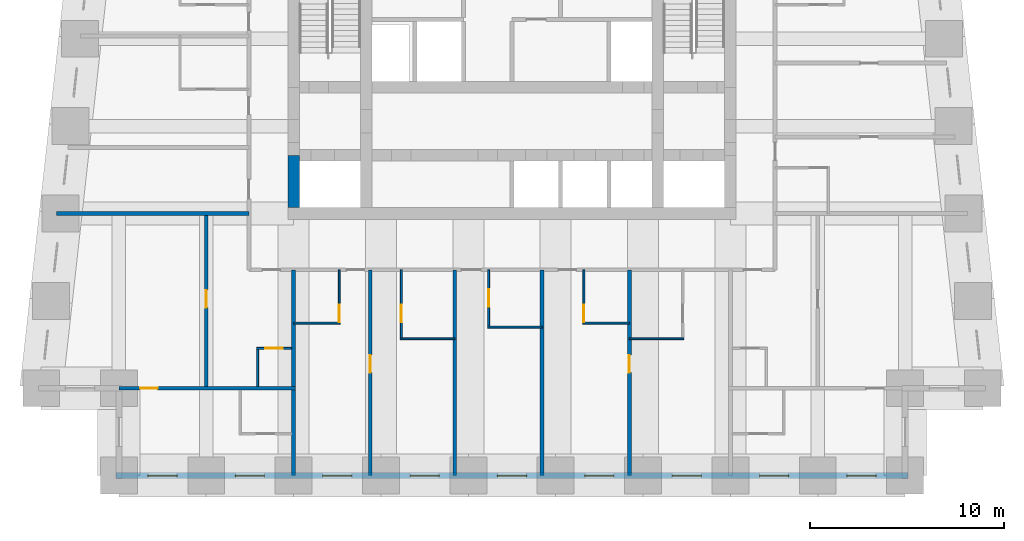
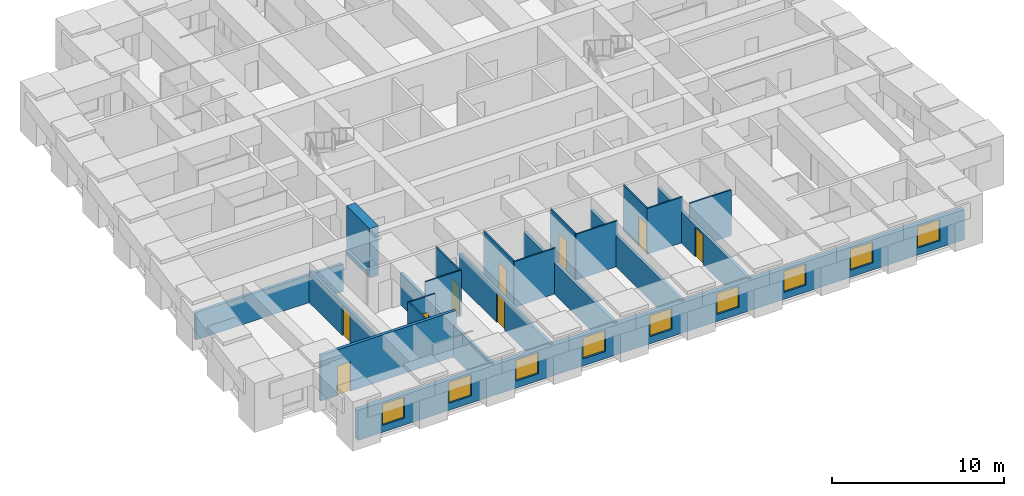
# One storey, part 2 of 8: 21 walls, 9 doors, 9 windows, 18 openings.
"""IFC4 building model written with IfcOpenShell, lengths in metres."""

from ifc_helpers import new_model, si_unit, direction, frame, frame_2d, origin, place, context, subcontext, project, spatial, rectangle, extrude, material, layer, layer_set, type_object, element, fill, save


model = new_model("IFC4")

# Units and contexts
model_context = context("Model", 3, precision=1e-05, world=origin(), true_north=direction((0.0, 1.0)))
body_context = subcontext(model_context, "Body", "Model", "MODEL_VIEW")
ifc_project = project(units=[si_unit("LENGTHUNIT", "METRE"), si_unit("AREAUNIT", "SQUARE_METRE"), si_unit("VOLUMEUNIT", "CUBIC_METRE"), si_unit("PLANEANGLEUNIT", "RADIAN"), si_unit("MASSUNIT", "GRAM", prefix="KILO")], contexts=[model_context])

# Site, building, storey
site_placement = place(None, origin())
site = spatial("IfcSite", under=ifc_project, at=site_placement, CompositionType="ELEMENT")
building_placement = place(site_placement, origin())
building = spatial("IfcBuilding", under=site, at=building_placement, Name="Kilele Tower Hotel", CompositionType="ELEMENT")
storey_placement = place(building_placement, frame((0.0, 0.0, 135.39990234375)))
storey = spatial("IfcBuildingStorey", under=building, at=storey_placement, Name="L35", CompositionType="ELEMENT", Elevation=135.39990234375)

# Wall
ifc_material_1 = material(Name="Moisture-resistant board")
ifc_layer_1 = layer(ifc_material_1, 0.10009765625)
ifc_layer_set_1 = layer_set([ifc_layer_1], Name="Moisture-resistant board")
wall_type_1 = type_object("IfcWallType", Name="Bathroom partition 100", PredefinedType="PLUMBINGWALL", material=ifc_layer_set_1)
wall_1_placement = place(storey_placement, frame((13.5, 7.85009765625, 0.0), z_axis=(0.0, 0.0, 1.0), x_axis=(1.0, 0.0, 0.0)))
element("IfcWall", 1, at=wall_1_placement, inside=storey, type_object=wall_type_1, Name="Bathroom partition 100 L35", PredefinedType="PLUMBINGWALL", context=body_context, shape_type="SweptSolid", body=[
    extrude(rectangle(XDim=2.39990234375, YDim=0.10009765625, at=frame_2d((1.199951171875, 0.0))), origin(), (0.0, 0.0, 1.0), 3.25),
])

# Wall, opening, door
wall_2_placement = place(storey_placement, frame((15.85009765625, 10.60009765625, 0.0), z_axis=(0.0, 0.0, 1.0), x_axis=(0.0, -1.0, 0.0)))
wall_2 = element("IfcWall", 2, at=wall_2_placement, inside=storey, type_object=wall_type_1, Name="Bathroom partition 100 L35", PredefinedType="PLUMBINGWALL", context=body_context, shape_type="SweptSolid", body=[
    extrude(rectangle(XDim=2.800048828125, YDim=0.10009765625, at=frame_2d((1.39990234375, 0.0))), origin(), (0.0, 0.0, 1.0), 3.25),
])
opening_1_placement = place(wall_2_placement, frame((1.800048828125, 0.0, 0.0)))
opening_1 = element("IfcOpeningElement", 3, at=opening_1_placement, cuts=wall_2, Name="Opening D2A", PredefinedType="OPENING", context=body_context, shape_type="SweptSolid", body=[
    extrude(rectangle(XDim=0.89990234375, YDim=2.10009765625, at=frame_2d((0.449951171875, 1.050048828125))), frame((0.0, 0.06005859375, 0.0), z_axis=(0.0, -1.0, 0.0), x_axis=(1.0, 0.0, 0.0)), (0.0, 0.0, 1.0), 0.1201171875),
])
ifc_material_2 = material(Name="Timber door leaf in hardwood frame", Category="wood")
door_type_1 = type_object("IfcDoorType", Name="Bathroom door 900", OperationType="SINGLE_SWING_LEFT", PredefinedType="DOOR", material=ifc_material_2)
door_1_placement = place(opening_1_placement, origin())
door_1 = element("IfcDoor", 4, at=door_1_placement, inside=storey, type_object=door_type_1, Name="Bathroom door 3501B", OperationType="SINGLE_SWING_RIGHT", OverallHeight=2.10009765625, OverallWidth=0.89990234375, PredefinedType="DOOR", context=body_context, shape_type="SweptSolid", body=[
    extrude(rectangle(XDim=0.89990234375, YDim=2.10009765625, at=frame_2d((0.449951171875, 1.050048828125))), frame((0.0, 0.02490234375, 0.0), z_axis=(0.0, -1.0, 0.0), x_axis=(1.0, 0.0, 0.0)), (0.0, 0.0, 1.0), 0.050048828125),
])
fill(opening_1, door_1)

# Wall
wall_3_placement = place(storey_placement, frame((19.0, 7.050048828125, 0.0), z_axis=(0.0, 0.0, 1.0), x_axis=(1.0, 0.0, 0.0)))
element("IfcWall", 5, at=wall_3_placement, inside=storey, type_object=wall_type_1, Name="Bathroom partition 100 L35", PredefinedType="PLUMBINGWALL", context=body_context, shape_type="SweptSolid", body=[
    extrude(rectangle(XDim=2.800048828125, YDim=0.10009765625, at=frame_2d((1.39990234375, 0.0))), origin(), (0.0, 0.0, 1.0), 3.25),
])

# Wall, opening, door
wall_4_placement = place(storey_placement, frame((19.050048828125, 10.60009765625, 0.0), z_axis=(0.0, 0.0, 1.0), x_axis=(0.0, -1.0, 0.0)))
wall_4 = element("IfcWall", 6, at=wall_4_placement, inside=storey, type_object=wall_type_1, Name="Bathroom partition 100 L35", PredefinedType="PLUMBINGWALL", context=body_context, shape_type="SweptSolid", body=[
    extrude(rectangle(XDim=3.60009765625, YDim=0.10009765625, at=frame_2d((1.800048828125, 0.0))), origin(), (0.0, 0.0, 1.0), 3.25),
])
opening_2_placement = place(wall_4_placement, frame((2.699951171875, 0.0, 0.0), z_axis=(0.0, 0.0, 1.0), x_axis=(-1.0, 0.0, 0.0)))
opening_2 = element("IfcOpeningElement", 7, at=opening_2_placement, cuts=wall_4, Name="Opening D2A", PredefinedType="OPENING", context=body_context, shape_type="SweptSolid", body=[
    extrude(rectangle(XDim=0.89990234375, YDim=2.10009765625, at=frame_2d((0.449951171875, 1.050048828125))), frame((0.0, 0.06005859375, 0.0), z_axis=(0.0, -1.0, 0.0), x_axis=(1.0, 0.0, 0.0)), (0.0, 0.0, 1.0), 0.1201171875),
])
door_2_placement = place(opening_2_placement, origin())
door_2 = element("IfcDoor", 8, at=door_2_placement, inside=storey, type_object=door_type_1, Name="Bathroom door 3502B", OperationType="SINGLE_SWING_LEFT", OverallHeight=2.10009765625, OverallWidth=0.89990234375, PredefinedType="DOOR", context=body_context, shape_type="SweptSolid", body=[
    extrude(rectangle(XDim=0.89990234375, YDim=2.10009765625, at=frame_2d((0.449951171875, 1.050048828125))), frame((0.0, 0.02490234375, 0.0), z_axis=(0.0, -1.0, 0.0), x_axis=(1.0, 0.0, 0.0)), (0.0, 0.0, 1.0), 0.050048828125),
])
fill(opening_2, door_2)

# Wall
wall_5_placement = place(storey_placement, frame((23.5, 7.64990234375, 0.0), z_axis=(0.0, 0.0, 1.0), x_axis=(1.0, 0.0, 0.0)))
element("IfcWall", 9, at=wall_5_placement, inside=storey, type_object=wall_type_1, Name="Bathroom partition 100 L35", PredefinedType="PLUMBINGWALL", context=body_context, shape_type="SweptSolid", body=[
    extrude(rectangle(XDim=2.800048828125, YDim=0.10009765625, at=frame_2d((1.39990234375, 0.0))), origin(), (0.0, 0.0, 1.0), 3.25),
])

# Wall, opening, door
wall_6_placement = place(storey_placement, frame((23.550048828125, 10.60009765625, 0.0), z_axis=(0.0, 0.0, 1.0), x_axis=(0.0, -1.0, 0.0)))
wall_6 = element("IfcWall", 10, at=wall_6_placement, inside=storey, type_object=wall_type_1, Name="Bathroom partition 100 L35", PredefinedType="PLUMBINGWALL", context=body_context, shape_type="SweptSolid", body=[
    extrude(rectangle(XDim=3.0, YDim=0.10009765625, at=frame_2d((1.5, 0.0))), origin(), (0.0, 0.0, 1.0), 3.25),
])
opening_3_placement = place(wall_6_placement, frame((1.89990234375, 0.0, 0.0), z_axis=(0.0, 0.0, 1.0), x_axis=(-1.0, 0.0, 0.0)))
opening_3 = element("IfcOpeningElement", 11, at=opening_3_placement, cuts=wall_6, Name="Opening D2A", PredefinedType="OPENING", context=body_context, shape_type="SweptSolid", body=[
    extrude(rectangle(XDim=0.89990234375, YDim=2.10009765625, at=frame_2d((0.449951171875, 1.050048828125))), frame((0.0, 0.06005859375, 0.0), z_axis=(0.0, -1.0, 0.0), x_axis=(1.0, 0.0, 0.0)), (0.0, 0.0, 1.0), 0.1201171875),
])
door_3_placement = place(opening_3_placement, origin())
door_3 = element("IfcDoor", 12, at=door_3_placement, inside=storey, type_object=door_type_1, Name="Bathroom door 3503B", OperationType="SINGLE_SWING_RIGHT", OverallHeight=2.10009765625, OverallWidth=0.89990234375, PredefinedType="DOOR", context=body_context, shape_type="SweptSolid", body=[
    extrude(rectangle(XDim=0.89990234375, YDim=2.10009765625, at=frame_2d((0.449951171875, 1.050048828125))), frame((0.0, 0.02490234375, 0.0), z_axis=(0.0, -1.0, 0.0), x_axis=(1.0, 0.0, 0.0)), (0.0, 0.0, 1.0), 0.050048828125),
])
fill(opening_3, door_3)

# Wall
wall_7_placement = place(storey_placement, frame((28.39990234375, 7.85009765625, 0.0), z_axis=(0.0, 0.0, 1.0), x_axis=(1.0, 0.0, 0.0)))
element("IfcWall", 13, at=wall_7_placement, inside=storey, type_object=wall_type_1, Name="Bathroom partition 100 L35", PredefinedType="PLUMBINGWALL", context=body_context, shape_type="SweptSolid", body=[
    extrude(rectangle(XDim=2.400146484375, YDim=0.10009765625, at=frame_2d((1.2001953125, 0.0))), origin(), (0.0, 0.0, 1.0), 3.25),
])

# Wall, opening, door
wall_8_placement = place(storey_placement, frame((28.449951171875, 10.60009765625, 0.0), z_axis=(0.0, 0.0, 1.0), x_axis=(0.0, -1.0, 0.0)))
wall_8 = element("IfcWall", 14, at=wall_8_placement, inside=storey, type_object=wall_type_1, Name="Bathroom partition 100 L35", PredefinedType="PLUMBINGWALL", context=body_context, shape_type="SweptSolid", body=[
    extrude(rectangle(XDim=2.800048828125, YDim=0.10009765625, at=frame_2d((1.39990234375, 0.0))), origin(), (0.0, 0.0, 1.0), 3.25),
])
opening_4_placement = place(wall_8_placement, frame((2.699951171875, 0.0, 0.0), z_axis=(0.0, 0.0, 1.0), x_axis=(-1.0, 0.0, 0.0)))
opening_4 = element("IfcOpeningElement", 15, at=opening_4_placement, cuts=wall_8, Name="Opening D2A", PredefinedType="OPENING", context=body_context, shape_type="SweptSolid", body=[
    extrude(rectangle(XDim=0.89990234375, YDim=2.10009765625, at=frame_2d((0.449951171875, 1.050048828125))), frame((0.0, 0.06005859375, 0.0), z_axis=(0.0, -1.0, 0.0), x_axis=(1.0, 0.0, 0.0)), (0.0, 0.0, 1.0), 0.1201171875),
])
door_4_placement = place(opening_4_placement, origin())
door_4 = element("IfcDoor", 16, at=door_4_placement, inside=storey, type_object=door_type_1, Name="Bathroom door 3504B", OperationType="SINGLE_SWING_LEFT", OverallHeight=2.10009765625, OverallWidth=0.89990234375, PredefinedType="DOOR", context=body_context, shape_type="SweptSolid", body=[
    extrude(rectangle(XDim=0.89990234375, YDim=2.10009765625, at=frame_2d((0.449951171875, 1.050048828125))), frame((0.0, 0.02490234375, 0.0), z_axis=(0.0, -1.0, 0.0), x_axis=(1.0, 0.0, 0.0)), (0.0, 0.0, 1.0), 0.050048828125),
])
fill(opening_4, door_4)

# Walls
wall_9_placement = place(storey_placement, frame((30.800048828125, 7.050048828125, 0.0), z_axis=(0.0, 0.0, 1.0), x_axis=(1.0, 0.0, 0.0)))
element("IfcWall", 17, at=wall_9_placement, inside=storey, type_object=wall_type_1, Name="Bathroom partition 100 L35", PredefinedType="PLUMBINGWALL", context=body_context, shape_type="SweptSolid", body=[
    extrude(rectangle(XDim=2.800048828125, YDim=0.10009765625, at=frame_2d((1.39990234375, 0.0))), origin(), (0.0, 0.0, 1.0), 3.25),
])
wall_10_placement = place(storey_placement, frame((11.64990234375, 4.60009765625, 0.0), z_axis=(0.0, 0.0, 1.0), x_axis=(0.0, 1.0, 0.0)))
element("IfcWall", 18, at=wall_10_placement, inside=storey, type_object=wall_type_1, Name="Bathroom partition 100 L35", PredefinedType="PLUMBINGWALL", context=body_context, shape_type="SweptSolid", body=[
    extrude(rectangle(XDim=2.0, YDim=0.10009765625, at=frame_2d((1.0, 0.0))), origin(), (0.0, 0.0, 1.0), 3.25),
])

# Wall, opening, door
wall_11_placement = place(storey_placement, frame((13.39990234375, 6.550048828125, 0.0), z_axis=(0.0, 0.0, 1.0), x_axis=(-1.0, 0.0, 0.0)))
wall_11 = element("IfcWall", 19, at=wall_11_placement, inside=storey, type_object=wall_type_1, Name="Bathroom partition 100 L35", PredefinedType="PLUMBINGWALL", context=body_context, shape_type="SweptSolid", body=[
    extrude(rectangle(XDim=1.7998046875, YDim=0.10009765625, at=frame_2d((0.89990234375, 0.0))), origin(), (0.0, 0.0, 1.0), 3.25),
])
opening_5_placement = place(wall_11_placement, frame((1.349853515625, 0.0, 0.0), z_axis=(0.0, 0.0, 1.0), x_axis=(-1.0, 0.0, 0.0)))
opening_5 = element("IfcOpeningElement", 20, at=opening_5_placement, cuts=wall_11, Name="Opening D2A", PredefinedType="OPENING", context=body_context, shape_type="SweptSolid", body=[
    extrude(rectangle(XDim=0.89990234375, YDim=2.10009765625, at=frame_2d((0.449951171875, 1.050048828125))), frame((0.0, 0.06005859375, 0.0), z_axis=(0.0, -1.0, 0.0), x_axis=(1.0, 0.0, 0.0)), (0.0, 0.0, 1.0), 0.1201171875),
])
door_5_placement = place(opening_5_placement, origin())
door_5 = element("IfcDoor", 21, at=door_5_placement, inside=storey, type_object=door_type_1, Name="Bathroom door 3517P", OperationType="SINGLE_SWING_RIGHT", OverallHeight=2.10009765625, OverallWidth=0.89990234375, PredefinedType="DOOR", context=body_context, shape_type="SweptSolid", body=[
    extrude(rectangle(XDim=0.89990234375, YDim=2.10009765625, at=frame_2d((0.449951171875, 1.050048828125))), frame((0.0, 0.02490234375, 0.0), z_axis=(0.0, -1.0, 0.0), x_axis=(1.0, 0.0, 0.0)), (0.0, 0.0, 1.0), 0.050048828125),
])
fill(opening_5, door_5)

# Wall
ifc_material_3 = material(Name="Concrete C60/75", Category="concrete")
ifc_layer_2 = layer(ifc_material_3, 0.60009765625)
ifc_layer_set_2 = layer_set([ifc_layer_2], Name="Concrete C60/75")
wall_type_2 = type_object("IfcWallType", Name="Core wall 600 C60/75", PredefinedType="SHEAR", material=ifc_layer_set_2)
wall_12_placement = place(storey_placement, frame((13.5, 16.5, 0.0), z_axis=(0.0, 0.0, 1.0), x_axis=(0.0, -1.0, 0.0)))
element("IfcWall", 22, at=wall_12_placement, inside=storey, type_object=wall_type_2, Name="Core wall W3 L35", PredefinedType="SHEAR", context=body_context, shape_type="SweptSolid", body=[
    extrude(rectangle(XDim=2.699951171875, YDim=0.60009765625, at=frame_2d((1.35009765625, 0.0))), origin(), (0.0, 0.0, 1.0), 3.5),
])

# Wall, opening, door
ifc_material_4 = material(Name="Blockwork, plastered both sides", Category="masonry")
ifc_layer_3 = layer(ifc_material_4, 0.199951171875)
ifc_layer_set_3 = layer_set([ifc_layer_3], Name="Blockwork, plastered both sides")
wall_type_3 = type_object("IfcWallType", Name="Partition wall 200", PredefinedType="PARTITIONING", material=ifc_layer_set_3)
wall_13_placement = place(storey_placement, frame((9.0, 4.60009765625, 0.0), z_axis=(0.0, 0.0, 1.0), x_axis=(0.0, 1.0, 0.0)))
wall_13 = element("IfcWall", 23, at=wall_13_placement, inside=storey, type_object=wall_type_3, Name="Partition wall 200 L35", PredefinedType="PARTITIONING", context=body_context, shape_type="SweptSolid", body=[
    extrude(rectangle(XDim=8.7998046875, YDim=0.199951171875, at=frame_2d((4.39990234375, 0.0))), origin(), (0.0, 0.0, 1.0), 2.25),
])
opening_6_placement = place(wall_13_placement, frame((4.050048828125, 0.0, 0.0)))
opening_6 = element("IfcOpeningElement", 24, at=opening_6_placement, cuts=wall_13, Name="Opening D3", PredefinedType="OPENING", context=body_context, shape_type="SweptSolid", body=[
    extrude(rectangle(XDim=0.89990234375, YDim=2.10009765625, at=frame_2d((0.449951171875, 1.050048828125))), frame((0.0, 0.10986328125, 0.0), z_axis=(0.0, -1.0, 0.0), x_axis=(1.0, 0.0, 0.0)), (0.0, 0.0, 1.0), 0.219970703125),
])
ifc_material_5 = material(Name="Timber door leaf in hardwood frame", Category="wood")
door_type_2 = type_object("IfcDoorType", Name="Suite internal door 900", OperationType="SINGLE_SWING_LEFT", PredefinedType="DOOR", material=ifc_material_5)
door_6_placement = place(opening_6_placement, origin())
door_6 = element("IfcDoor", 25, at=door_6_placement, inside=storey, type_object=door_type_2, Name="Suite door 3518", OperationType="SINGLE_SWING_RIGHT", OverallHeight=2.10009765625, OverallWidth=0.89990234375, PredefinedType="DOOR", context=body_context, shape_type="SweptSolid", body=[
    extrude(rectangle(XDim=0.89990234375, YDim=2.10009765625, at=frame_2d((0.449951171875, 1.050048828125))), frame((0.0, 0.02490234375, 0.0), z_axis=(0.0, -1.0, 0.0), x_axis=(1.0, 0.0, 0.0)), (0.0, 0.0, 1.0), 0.050048828125),
])
fill(opening_6, door_6)

ifc_material_6 = material(Name="Blockwork, plastered both sides", Category="masonry")
ifc_layer_4 = layer(ifc_material_6, 0.199951171875)
ifc_layer_set_4 = layer_set([ifc_layer_4], Name="Blockwork, plastered both sides")
wall_type_4 = type_object("IfcWallType", Name="Party wall 200", PredefinedType="PARTITIONING", material=ifc_layer_set_4)
wall_14_placement = place(storey_placement, frame((17.449951171875, 10.60009765625, 0.0), z_axis=(0.0, 0.0, 1.0), x_axis=(0.0, -1.0, 0.0)))
wall_14 = element("IfcWall", 26, at=wall_14_placement, inside=storey, type_object=wall_type_4, Name="Party wall 200 L35", PredefinedType="PARTITIONING", context=body_context, shape_type="SweptSolid", body=[
    extrude(rectangle(XDim=10.60009765625, YDim=0.199951171875, at=frame_2d((5.300048828125, 0.0))), origin(), (0.0, 0.0, 1.0), 2.25),
])
opening_7_placement = place(wall_14_placement, frame((4.39990234375, 0.0, 0.0)))
opening_7 = element("IfcOpeningElement", 27, at=opening_7_placement, cuts=wall_14, Name="Opening D3", PredefinedType="OPENING", context=body_context, shape_type="SweptSolid", body=[
    extrude(rectangle(XDim=0.89990234375, YDim=2.10009765625, at=frame_2d((0.449951171875, 1.050048828125))), frame((0.0, 0.10986328125, 0.0), z_axis=(0.0, -1.0, 0.0), x_axis=(1.0, 0.0, 0.0)), (0.0, 0.0, 1.0), 0.219970703125),
])
door_7_placement = place(opening_7_placement, origin())
door_7 = element("IfcDoor", 28, at=door_7_placement, inside=storey, type_object=door_type_2, Name="Suite door 3502", OperationType="SINGLE_SWING_LEFT", OverallHeight=2.10009765625, OverallWidth=0.89990234375, PredefinedType="DOOR", context=body_context, shape_type="SweptSolid", body=[
    extrude(rectangle(XDim=0.89990234375, YDim=2.10009765625, at=frame_2d((0.449951171875, 1.050048828125))), frame((0.0, 0.02490234375, 0.0), z_axis=(0.0, -1.0, 0.0), x_axis=(1.0, 0.0, 0.0)), (0.0, 0.0, 1.0), 0.050048828125),
])
fill(opening_7, door_7)

# Walls
for number, where, z_axis, x_axis, name in (
    (29, (21.800048828125, 10.60009765625, 0.0), (0.0, 0.0, 1.0), (0.0, -1.0, 0.0), "Party wall 200 L35"),
    (30, (26.300048828125, 10.60009765625, 0.0), (0.0, 0.0, 1.0), (0.0, -1.0, 0.0), "Party wall 200 L35"),
):
    element("IfcWall", number, at=place(storey_placement, frame(where, z_axis=z_axis, x_axis=x_axis)), inside=storey, type_object=wall_type_4, Name=name, PredefinedType="PARTITIONING", context=body_context, shape_type="SweptSolid", body=[
        extrude(rectangle(XDim=10.60009765625, YDim=0.199951171875, at=frame_2d((5.300048828125, 0.0))), origin(), (0.0, 0.0, 1.0), 2.25),
    ])

# Wall, opening, door
wall_15_placement = place(storey_placement, frame((30.800048828125, 10.60009765625, 0.0), z_axis=(0.0, 0.0, 1.0), x_axis=(0.0, -1.0, 0.0)))
wall_15 = element("IfcWall", 31, at=wall_15_placement, inside=storey, type_object=wall_type_4, Name="Party wall 200 L35", PredefinedType="PARTITIONING", context=body_context, shape_type="SweptSolid", body=[
    extrude(rectangle(XDim=10.60009765625, YDim=0.199951171875, at=frame_2d((5.300048828125, 0.0))), origin(), (0.0, 0.0, 1.0), 2.25),
])
opening_8_placement = place(wall_15_placement, frame((4.39990234375, 0.0, 0.0)))
opening_8 = element("IfcOpeningElement", 32, at=opening_8_placement, cuts=wall_15, Name="Opening D3", PredefinedType="OPENING", context=body_context, shape_type="SweptSolid", body=[
    extrude(rectangle(XDim=0.89990234375, YDim=2.10009765625, at=frame_2d((0.449951171875, 1.050048828125))), frame((0.0, 0.10986328125, 0.0), z_axis=(0.0, -1.0, 0.0), x_axis=(1.0, 0.0, 0.0)), (0.0, 0.0, 1.0), 0.219970703125),
])
door_8_placement = place(opening_8_placement, origin())
door_8 = element("IfcDoor", 33, at=door_8_placement, inside=storey, type_object=door_type_2, Name="Suite door 3505", OperationType="SINGLE_SWING_LEFT", OverallHeight=2.10009765625, OverallWidth=0.89990234375, PredefinedType="DOOR", context=body_context, shape_type="SweptSolid", body=[
    extrude(rectangle(XDim=0.89990234375, YDim=2.10009765625, at=frame_2d((0.449951171875, 1.050048828125))), frame((0.0, 0.02490234375, 0.0), z_axis=(0.0, -1.0, 0.0), x_axis=(1.0, 0.0, 0.0)), (0.0, 0.0, 1.0), 0.050048828125),
])
fill(opening_8, door_8)

# Walls
wall_16_placement = place(storey_placement, frame((11.199951171875, 13.5, 0.0), z_axis=(0.0, 0.0, 1.0), x_axis=(-1.0, 0.0, 0.0)))
element("IfcWall", 34, at=wall_16_placement, inside=storey, type_object=wall_type_4, Name="Party wall 200 L35", PredefinedType="PARTITIONING", context=body_context, shape_type="SweptSolid", body=[
    extrude(rectangle(XDim=9.921142578125, YDim=0.199951171875, at=frame_2d((4.96044921875, 0.0))), origin(), (0.0, 0.0, 1.0), 1.9501953125),
])
wall_17_placement = place(storey_placement, frame((13.5, 10.60009765625, 0.0), z_axis=(0.0, 0.0, 1.0), x_axis=(0.0, -1.0, 0.0)))
element("IfcWall", 35, at=wall_17_placement, inside=storey, type_object=wall_type_4, Name="Party wall 200 L35", PredefinedType="PARTITIONING", context=body_context, shape_type="SweptSolid", body=[
    extrude(rectangle(XDim=10.60009765625, YDim=0.199951171875, at=frame_2d((5.300048828125, 0.0))), origin(), (0.0, 0.0, 1.0), 2.25),
])

# Wall, opening, door
wall_18_placement = place(storey_placement, frame((13.60009765625, 4.5, 0.0), z_axis=(0.0, 0.0, 1.0), x_axis=(-1.0, 0.0, 0.0)))
wall_18 = element("IfcWall", 36, at=wall_18_placement, inside=storey, type_object=wall_type_4, Name="Party wall 200 L35", PredefinedType="PARTITIONING", context=body_context, shape_type="SweptSolid", body=[
    extrude(rectangle(XDim=9.10009765625, YDim=0.199951171875, at=frame_2d((4.550048828125, 0.0))), origin(), (0.0, 0.0, 1.0), 3.25),
])
opening_9_placement = place(wall_18_placement, frame((7.10009765625, 0.0, 0.0)))
opening_9 = element("IfcOpeningElement", 37, at=opening_9_placement, cuts=wall_18, Name="Opening D3", PredefinedType="OPENING", context=body_context, shape_type="SweptSolid", body=[
    extrude(rectangle(XDim=0.89990234375, YDim=2.10009765625, at=frame_2d((0.449951171875, 1.050048828125))), frame((0.0, 0.10986328125, 0.0), z_axis=(0.0, -1.0, 0.0), x_axis=(1.0, 0.0, 0.0)), (0.0, 0.0, 1.0), 0.219970703125),
])
door_9_placement = place(opening_9_placement, origin())
door_9 = element("IfcDoor", 38, at=door_9_placement, inside=storey, type_object=door_type_2, Name="Suite door 3519", OperationType="SINGLE_SWING_RIGHT", OverallHeight=2.10009765625, OverallWidth=0.89990234375, PredefinedType="DOOR", context=body_context, shape_type="SweptSolid", body=[
    extrude(rectangle(XDim=0.89990234375, YDim=2.10009765625, at=frame_2d((0.449951171875, 1.050048828125))), frame((0.0, 0.02490234375, 0.0), z_axis=(0.0, -1.0, 0.0), x_axis=(1.0, 0.0, 0.0)), (0.0, 0.0, 1.0), 0.050048828125),
])
fill(opening_9, door_9)

# Wall, openings, windows
ifc_material_7 = material(Name="Concrete C40/50 precast", Category="concrete")
ifc_layer_5 = layer(ifc_material_7, 0.260009765625, Name="Precast backing", Category="LoadBearing")
ifc_material_8 = material(Name="Reconstituted stone finish", Category="masonry")
ifc_layer_6 = layer(ifc_material_8, 0.0400390625, Name="Face mix", Category="Finish")
ifc_layer_set_5 = layer_set([ifc_layer_5, ifc_layer_6], Name="Precast concrete C40/50, reconstituted stone finish")
wall_type_5 = type_object("IfcWallType", Name="Precast stone facade wall 300", PredefinedType="STANDARD", material=ifc_layer_set_5)
wall_19_placement = place(storey_placement, frame((4.35009765625, 0.0, 0.0), z_axis=(0.0, 0.0, 1.0), x_axis=(1.0, 0.0, 0.0)))
wall_19 = element("IfcWall", 39, at=wall_19_placement, inside=storey, type_object=wall_type_5, Name="Facade wall L35 edge 3", PredefinedType="STANDARD", context=body_context, shape_type="SweptSolid", body=[
    extrude(rectangle(XDim=40.7998046875, YDim=0.300048828125, at=frame_2d((20.39990234375, 0.0))), origin(), (0.0, 0.0, 1.0), 2.150146484375),
])
opening_10_placement = place(wall_19_placement, frame((1.64990234375, 0.0, 0.5)))
opening_10 = element("IfcOpeningElement", 40, at=opening_10_placement, cuts=wall_19, Name="Opening W2", PredefinedType="OPENING", context=body_context, shape_type="SweptSolid", body=[
    extrude(rectangle(XDim=1.5, YDim=1.5, at=frame_2d((0.75, 0.75))), frame((0.0, 0.159912109375, 0.0), z_axis=(0.0, -1.0, 0.0), x_axis=(1.0, 0.0, 0.0)), (0.0, 0.0, 1.0), 0.320068359375),
])
opening_11_placement = place(wall_19_placement, frame((6.14990234375, 0.0, 0.5)))
opening_11 = element("IfcOpeningElement", 41, at=opening_11_placement, cuts=wall_19, Name="Opening W2", PredefinedType="OPENING", context=body_context, shape_type="SweptSolid", body=[
    extrude(rectangle(XDim=1.5, YDim=1.5, at=frame_2d((0.75, 0.75))), frame((0.0, 0.159912109375, 0.0), z_axis=(0.0, -1.0, 0.0), x_axis=(1.0, 0.0, 0.0)), (0.0, 0.0, 1.0), 0.320068359375),
])
opening_12_placement = place(wall_19_placement, frame((10.64990234375, 0.0, 0.5)))
opening_12 = element("IfcOpeningElement", 42, at=opening_12_placement, cuts=wall_19, Name="Opening W2", PredefinedType="OPENING", context=body_context, shape_type="SweptSolid", body=[
    extrude(rectangle(XDim=1.5, YDim=1.5, at=frame_2d((0.75, 0.75))), frame((0.0, 0.159912109375, 0.0), z_axis=(0.0, -1.0, 0.0), x_axis=(1.0, 0.0, 0.0)), (0.0, 0.0, 1.0), 0.320068359375),
])
opening_13_placement = place(wall_19_placement, frame((15.14990234375, 0.0, 0.5)))
opening_13 = element("IfcOpeningElement", 43, at=opening_13_placement, cuts=wall_19, Name="Opening W2", PredefinedType="OPENING", context=body_context, shape_type="SweptSolid", body=[
    extrude(rectangle(XDim=1.5, YDim=1.5, at=frame_2d((0.75, 0.75))), frame((0.0, 0.159912109375, 0.0), z_axis=(0.0, -1.0, 0.0), x_axis=(1.0, 0.0, 0.0)), (0.0, 0.0, 1.0), 0.320068359375),
])
opening_14_placement = place(wall_19_placement, frame((19.64990234375, 0.0, 0.5)))
opening_14 = element("IfcOpeningElement", 44, at=opening_14_placement, cuts=wall_19, Name="Opening W2", PredefinedType="OPENING", context=body_context, shape_type="SweptSolid", body=[
    extrude(rectangle(XDim=1.5, YDim=1.5, at=frame_2d((0.75, 0.75))), frame((0.0, 0.159912109375, 0.0), z_axis=(0.0, -1.0, 0.0), x_axis=(1.0, 0.0, 0.0)), (0.0, 0.0, 1.0), 0.320068359375),
])
opening_15_placement = place(wall_19_placement, frame((24.14990234375, 0.0, 0.5)))
opening_15 = element("IfcOpeningElement", 45, at=opening_15_placement, cuts=wall_19, Name="Opening W2", PredefinedType="OPENING", context=body_context, shape_type="SweptSolid", body=[
    extrude(rectangle(XDim=1.5, YDim=1.5, at=frame_2d((0.75, 0.75))), frame((0.0, 0.159912109375, 0.0), z_axis=(0.0, -1.0, 0.0), x_axis=(1.0, 0.0, 0.0)), (0.0, 0.0, 1.0), 0.320068359375),
])
opening_16_placement = place(wall_19_placement, frame((28.64990234375, 0.0, 0.5)))
opening_16 = element("IfcOpeningElement", 46, at=opening_16_placement, cuts=wall_19, Name="Opening W2", PredefinedType="OPENING", context=body_context, shape_type="SweptSolid", body=[
    extrude(rectangle(XDim=1.5, YDim=1.5, at=frame_2d((0.75, 0.75))), frame((0.0, 0.159912109375, 0.0), z_axis=(0.0, -1.0, 0.0), x_axis=(1.0, 0.0, 0.0)), (0.0, 0.0, 1.0), 0.320068359375),
])
opening_17_placement = place(wall_19_placement, frame((33.14990234375, 0.0, 0.5)))
opening_17 = element("IfcOpeningElement", 47, at=opening_17_placement, cuts=wall_19, Name="Opening W2", PredefinedType="OPENING", context=body_context, shape_type="SweptSolid", body=[
    extrude(rectangle(XDim=1.5, YDim=1.5, at=frame_2d((0.75, 0.75))), frame((0.0, 0.159912109375, 0.0), z_axis=(0.0, -1.0, 0.0), x_axis=(1.0, 0.0, 0.0)), (0.0, 0.0, 1.0), 0.320068359375),
])
opening_18_placement = place(wall_19_placement, frame((37.64990234375, 0.0, 0.5)))
opening_18 = element("IfcOpeningElement", 48, at=opening_18_placement, cuts=wall_19, Name="Opening W2", PredefinedType="OPENING", context=body_context, shape_type="SweptSolid", body=[
    extrude(rectangle(XDim=1.5, YDim=1.5, at=frame_2d((0.75, 0.75))), frame((0.0, 0.159912109375, 0.0), z_axis=(0.0, -1.0, 0.0), x_axis=(1.0, 0.0, 0.0)), (0.0, 0.0, 1.0), 0.320068359375),
])
ifc_material_9 = material(Name="Aluminium frame, clear double glazing", Category="aluminium")
window_type = type_object("IfcWindowType", Name="Window W2 1500 x 1500", PartitioningType="SINGLE_PANEL", PredefinedType="WINDOW", material=ifc_material_9)
window_1_placement = place(opening_10_placement, origin())
window_1 = element("IfcWindow", 49, at=window_1_placement, inside=storey, type_object=window_type, Name="Window L35", OverallHeight=1.5, OverallWidth=1.5, PartitioningType="SINGLE_PANEL", PredefinedType="WINDOW", context=body_context, shape_type="SweptSolid", body=[
    extrude(rectangle(XDim=1.5, YDim=1.5, at=frame_2d((0.75, 0.75))), frame((0.0, 0.030029296875, 0.0), z_axis=(0.0, -1.0, 0.0), x_axis=(1.0, 0.0, 0.0)), (0.0, 0.0, 1.0), 0.06005859375),
])
fill(opening_10, window_1)
window_2_placement = place(opening_11_placement, origin())
window_2 = element("IfcWindow", 50, at=window_2_placement, inside=storey, type_object=window_type, Name="Window L35", OverallHeight=1.5, OverallWidth=1.5, PartitioningType="SINGLE_PANEL", PredefinedType="WINDOW", context=body_context, shape_type="SweptSolid", body=[
    extrude(rectangle(XDim=1.5, YDim=1.5, at=frame_2d((0.75, 0.75))), frame((0.0, 0.030029296875, 0.0), z_axis=(0.0, -1.0, 0.0), x_axis=(1.0, 0.0, 0.0)), (0.0, 0.0, 1.0), 0.06005859375),
])
fill(opening_11, window_2)
window_3_placement = place(opening_12_placement, origin())
window_3 = element("IfcWindow", 51, at=window_3_placement, inside=storey, type_object=window_type, Name="Window L35", OverallHeight=1.5, OverallWidth=1.5, PartitioningType="SINGLE_PANEL", PredefinedType="WINDOW", context=body_context, shape_type="SweptSolid", body=[
    extrude(rectangle(XDim=1.5, YDim=1.5, at=frame_2d((0.75, 0.75))), frame((0.0, 0.030029296875, 0.0), z_axis=(0.0, -1.0, 0.0), x_axis=(1.0, 0.0, 0.0)), (0.0, 0.0, 1.0), 0.06005859375),
])
fill(opening_12, window_3)
window_4_placement = place(opening_13_placement, origin())
window_4 = element("IfcWindow", 52, at=window_4_placement, inside=storey, type_object=window_type, Name="Window L35", OverallHeight=1.5, OverallWidth=1.5, PartitioningType="SINGLE_PANEL", PredefinedType="WINDOW", context=body_context, shape_type="SweptSolid", body=[
    extrude(rectangle(XDim=1.5, YDim=1.5, at=frame_2d((0.75, 0.75))), frame((0.0, 0.030029296875, 0.0), z_axis=(0.0, -1.0, 0.0), x_axis=(1.0, 0.0, 0.0)), (0.0, 0.0, 1.0), 0.06005859375),
])
fill(opening_13, window_4)
window_5_placement = place(opening_14_placement, origin())
window_5 = element("IfcWindow", 53, at=window_5_placement, inside=storey, type_object=window_type, Name="Window L35", OverallHeight=1.5, OverallWidth=1.5, PartitioningType="SINGLE_PANEL", PredefinedType="WINDOW", context=body_context, shape_type="SweptSolid", body=[
    extrude(rectangle(XDim=1.5, YDim=1.5, at=frame_2d((0.75, 0.75))), frame((0.0, 0.030029296875, 0.0), z_axis=(0.0, -1.0, 0.0), x_axis=(1.0, 0.0, 0.0)), (0.0, 0.0, 1.0), 0.06005859375),
])
fill(opening_14, window_5)
window_6_placement = place(opening_15_placement, origin())
window_6 = element("IfcWindow", 54, at=window_6_placement, inside=storey, type_object=window_type, Name="Window L35", OverallHeight=1.5, OverallWidth=1.5, PartitioningType="SINGLE_PANEL", PredefinedType="WINDOW", context=body_context, shape_type="SweptSolid", body=[
    extrude(rectangle(XDim=1.5, YDim=1.5, at=frame_2d((0.75, 0.75))), frame((0.0, 0.030029296875, 0.0), z_axis=(0.0, -1.0, 0.0), x_axis=(1.0, 0.0, 0.0)), (0.0, 0.0, 1.0), 0.06005859375),
])
fill(opening_15, window_6)
window_7_placement = place(opening_16_placement, origin())
window_7 = element("IfcWindow", 55, at=window_7_placement, inside=storey, type_object=window_type, Name="Window L35", OverallHeight=1.5, OverallWidth=1.5, PartitioningType="SINGLE_PANEL", PredefinedType="WINDOW", context=body_context, shape_type="SweptSolid", body=[
    extrude(rectangle(XDim=1.5, YDim=1.5, at=frame_2d((0.75, 0.75))), frame((0.0, 0.030029296875, 0.0), z_axis=(0.0, -1.0, 0.0), x_axis=(1.0, 0.0, 0.0)), (0.0, 0.0, 1.0), 0.06005859375),
])
fill(opening_16, window_7)
window_8_placement = place(opening_17_placement, origin())
window_8 = element("IfcWindow", 56, at=window_8_placement, inside=storey, type_object=window_type, Name="Window L35", OverallHeight=1.5, OverallWidth=1.5, PartitioningType="SINGLE_PANEL", PredefinedType="WINDOW", context=body_context, shape_type="SweptSolid", body=[
    extrude(rectangle(XDim=1.5, YDim=1.5, at=frame_2d((0.75, 0.75))), frame((0.0, 0.030029296875, 0.0), z_axis=(0.0, -1.0, 0.0), x_axis=(1.0, 0.0, 0.0)), (0.0, 0.0, 1.0), 0.06005859375),
])
fill(opening_17, window_8)
window_9_placement = place(opening_18_placement, origin())
window_9 = element("IfcWindow", 57, at=window_9_placement, inside=storey, type_object=window_type, Name="Window L35", OverallHeight=1.5, OverallWidth=1.5, PartitioningType="SINGLE_PANEL", PredefinedType="WINDOW", context=body_context, shape_type="SweptSolid", body=[
    extrude(rectangle(XDim=1.5, YDim=1.5, at=frame_2d((0.75, 0.75))), frame((0.0, 0.030029296875, 0.0), z_axis=(0.0, -1.0, 0.0), x_axis=(1.0, 0.0, 0.0)), (0.0, 0.0, 1.0), 0.06005859375),
])
fill(opening_18, window_9)

save(model, "model.ifc")
